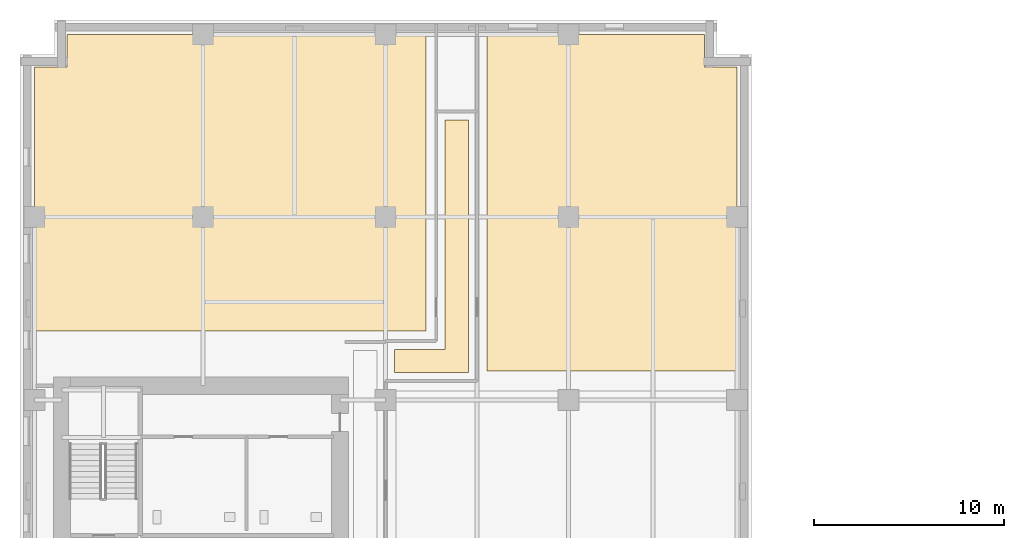
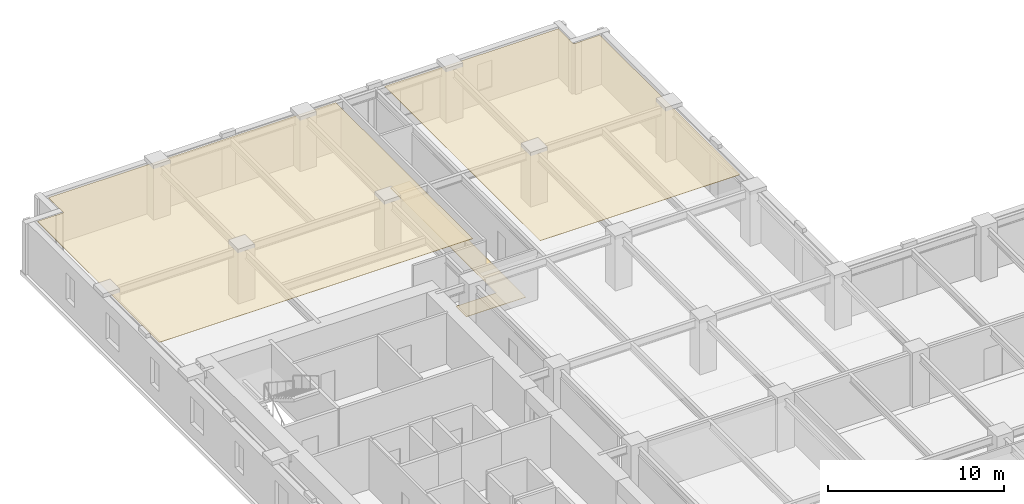
# One storey, part 13 of 14: 3 coverings.
"""IFC4 building model written with IfcOpenShell, lengths in metres."""

import ifcopenshell
import ifcopenshell.guid

model = None  # the IFC model being written
_history = None  # IfcOwnerHistory: only IFC2X3 demands one
_inside = {}  # id of a spatial element -> (the spatial element, [elements in it])
_under = {}  # id of a project, library or spatial element -> (it, [spatial elements below it])
_declared = {}  # id of a project -> (the project, [libraries it declares])
_typed = {}  # id of a type object -> (the type object, [elements of that type])
_made_of = {}  # id of a material, layer set ... -> (it, [elements and type objects made of it])


def new_model(schema):
    """Start an empty IFC model of exactly this schema.

    Asked for "IFC4X3", IfcOpenShell would pick the latest addendum, in which some entities
    have other attributes; the version numbers below select the first issue.
    IFC2X3 requires an IfcOwnerHistory on every rooted entity: one is made here for all.
    """
    global model, _history
    if schema == "IFC4X3":
        model = ifcopenshell.file(schema_version=(4, 3, 0, 0))
    else:
        model = ifcopenshell.file(schema=schema)
    _inside.clear()
    _under.clear()
    _declared.clear()
    _typed.clear()
    _made_of.clear()
    _history = None
    if model.schema == "IFC2X3":
        org = make("IfcOrganization", Name="unknown")
        user = make(
            "IfcPersonAndOrganization",
            ThePerson=make("IfcPerson", FamilyName="unknown"),
            TheOrganization=org,
        )
        app = make(
            "IfcApplication",
            ApplicationDeveloper=org,
            Version="unknown",
            ApplicationFullName="unknown",
            ApplicationIdentifier="unknown",
        )
        _history = make(
            "IfcOwnerHistory",
            OwningUser=user,
            OwningApplication=app,
            ChangeAction="ADDED",
            CreationDate=0,
        )
    return model


def make(cls, **values):
    """One entity of the class cls with the attributes given. An attribute that is None is left unset."""
    return model.create_entity(
        cls, **{name: value for name, value in values.items() if value is not None}
    )


def rooted(cls, **values):
    """An entity with a GlobalId (a new one), such as an element, a storey or a relation."""
    return make(cls, GlobalId=ifcopenshell.guid.new(), OwnerHistory=_history, **values)


def si_unit(unit_type, name, prefix=None):
    """IfcSIUnit, for example si_unit("LENGTHUNIT", "METRE", prefix="MILLI")."""
    return make("IfcSIUnit", UnitType=unit_type, Prefix=prefix, Name=name)


def assignment(units):
    """IfcUnitAssignment: the units of a project."""
    return None if units is None else make("IfcUnitAssignment", Units=units)


def point(xyz):
    """IfcCartesianPoint."""
    return None if xyz is None else make("IfcCartesianPoint", Coordinates=xyz)


def direction(xyz):
    """IfcDirection."""
    return None if xyz is None else make("IfcDirection", DirectionRatios=xyz)


def frame(location, z_axis=None, x_axis=None):
    """IfcAxis2Placement3D, a coordinate frame: its origin and axes. An axis left out is left unset."""
    return make(
        "IfcAxis2Placement3D",
        Location=point(location),
        Axis=direction(z_axis),
        RefDirection=direction(x_axis),
    )


def origin():
    """The frame at (0, 0, 0) with its axes left unset."""
    return frame((0.0, 0.0, 0.0))


def place(relative_to, where):
    """IfcLocalPlacement: puts the frame where relative to a parent placement (None: the world)."""
    return make(
        "IfcLocalPlacement", PlacementRelTo=relative_to, RelativePlacement=where
    )


def context(
    kind, dimensions, precision=None, world=None, true_north=None, identifier=None
):
    """IfcGeometricRepresentationContext, for example the 3D "Model" context."""
    return make(
        "IfcGeometricRepresentationContext",
        ContextIdentifier=identifier,
        ContextType=kind,
        CoordinateSpaceDimension=dimensions,
        Precision=precision,
        WorldCoordinateSystem=world,
        TrueNorth=true_north,
    )


def subcontext(parent, identifier, kind, view, scale=None):
    """IfcGeometricRepresentationSubContext, for example "Body" below "Model"."""
    return make(
        "IfcGeometricRepresentationSubContext",
        ContextIdentifier=identifier,
        ContextType=kind,
        ParentContext=parent,
        TargetScale=scale,
        TargetView=view,
    )


def project(units=None, contexts=None):
    """IfcProject with its units and contexts."""
    return rooted(
        "IfcProject",
        Name="project",
        RepresentationContexts=contexts,
        UnitsInContext=assignment(units),
    )


def spatial(cls, under=None, at=None, **own):
    """A site, building, storey or space (cls), placed at a placement, below another one or the project."""
    s = rooted(cls, ObjectPlacement=at, **own)
    if under is not None:
        _under.setdefault(under.id(), (under, []))[1].append(s)
    return s


def polyline(points):
    """IfcPolyline through the points."""
    return make("IfcPolyline", Points=[point(p) for p in points])


def outline(outer, holes=None, kind="AREA"):
    """IfcArbitraryClosedProfileDef: a profile drawn as a closed curve; with holes, ...WithVoids."""
    if holes is None:
        return make("IfcArbitraryClosedProfileDef", ProfileType=kind, OuterCurve=outer)
    return make(
        "IfcArbitraryProfileDefWithVoids",
        ProfileType=kind,
        OuterCurve=outer,
        InnerCurves=holes,
    )


def extrude(swept, where, along, depth):
    """IfcExtrudedAreaSolid: the profile swept, set in the frame where, extruded along a direction by depth."""
    return make(
        "IfcExtrudedAreaSolid",
        SweptArea=swept,
        Position=where,
        ExtrudedDirection=direction(along),
        Depth=depth,
    )


def shape(context_of_items, identifier, shape_type, items):
    """IfcShapeRepresentation: the items that make up one representation, for example the "Body"."""
    return make(
        "IfcShapeRepresentation",
        ContextOfItems=context_of_items,
        RepresentationIdentifier=identifier,
        RepresentationType=shape_type,
        Items=items,
    )


def material(Name=None, Category=None):
    """IfcMaterial."""
    return make("IfcMaterial", Name=Name, Category=Category)


def layer(
    of_material, thickness, ventilated=None, Name=None, Category=None, Priority=None
):
    """IfcMaterialLayer: one layer of a wall or slab, of a material (None: an air gap)."""
    return make(
        "IfcMaterialLayer",
        Material=of_material,
        LayerThickness=thickness,
        IsVentilated=ventilated,
        Name=Name,
        Category=Category,
        Priority=Priority,
    )


def layer_set(layers, Name=None):
    """IfcMaterialLayerSet."""
    return make("IfcMaterialLayerSet", MaterialLayers=layers, LayerSetName=Name)


def made_of(thing, what):
    """Note that an element or type object is made of a material, layer set ...; save() writes the relation."""
    if what is not None:
        _made_of.setdefault(what.id(), (what, []))[1].append(thing)
    return thing


def type_object(cls, material=None, **own):
    """A type object (cls), such as IfcWallType, which elements share."""
    return made_of(rooted(cls, **own), material)


def element(
    cls,
    number,
    at=None,
    inside=None,
    cuts=None,
    type_object=None,
    material=None,
    context=None,
    identifier="Body",
    shape_type=None,
    held_by="IfcProductDefinitionShape",
    body=None,
    shapes=None,
    **own,
):
    """One element of the class cls, such as IfcWall. Its Tag is "e" and its number.

    at: its placement. inside: the storey or other place that contains it. cuts: it is an
    opening in that element (IfcRelVoidsElement). A single representation is given by context,
    identifier, shape_type and body (its items); several are given by shapes. held_by: the class
    of the entity that holds the representations. save() writes the other relations.
    """
    e = rooted(cls, Tag="e%d" % number, ObjectPlacement=at, **own)
    if body is not None:
        shapes = [shape(context, identifier, shape_type, body)]
    if shapes is not None:
        e.Representation = make(held_by, Representations=shapes)
    if inside is not None:
        _inside.setdefault(inside.id(), (inside, []))[1].append(e)
    if cuts is not None:
        rooted(
            "IfcRelVoidsElement", RelatingBuildingElement=cuts, RelatedOpeningElement=e
        )
    if type_object is not None:
        _typed.setdefault(type_object.id(), (type_object, []))[1].append(e)
    return made_of(e, material)


def aggregate(whole, parts):
    """IfcRelAggregates: a whole, such as a stair, and the parts it consists of."""
    return rooted("IfcRelAggregates", RelatingObject=whole, RelatedObjects=parts)


def save(model, path):
    """Write the relations noted so far, then the file.

    IfcRelAggregates (storeys below a building ...), IfcRelContainedInSpatialStructure (elements
    in a storey), IfcRelDefinesByType, IfcRelAssociatesMaterial and IfcRelDeclares: one each for
    every whole, place, type object, material and project.
    """
    for whole, parts in _under.values():
        aggregate(whole, parts)
    for where, things in _inside.values():
        rooted(
            "IfcRelContainedInSpatialStructure",
            RelatedElements=things,
            RelatingStructure=where,
        )
    for kind, things in _typed.values():
        rooted("IfcRelDefinesByType", RelatedObjects=things, RelatingType=kind)
    for what, things in _made_of.values():
        rooted("IfcRelAssociatesMaterial", RelatedObjects=things, RelatingMaterial=what)
    for by, libraries in _declared.values():
        rooted("IfcRelDeclares", RelatingContext=by, RelatedDefinitions=libraries)
    model.write(path)


model = new_model("IFC4")

# Units and contexts
model_context = context("Model", 3, precision=1e-05, world=origin(), true_north=direction((0.0, 1.0)))
body_context = subcontext(model_context, "Body", "Model", "MODEL_VIEW")
ifc_project = project(units=[si_unit("LENGTHUNIT", "METRE"), si_unit("AREAUNIT", "SQUARE_METRE"), si_unit("VOLUMEUNIT", "CUBIC_METRE"), si_unit("PLANEANGLEUNIT", "RADIAN"), si_unit("MASSUNIT", "GRAM", prefix="KILO")], contexts=[model_context])

# Site, building, storey
site_placement = place(None, origin())
site = spatial("IfcSite", under=ifc_project, at=site_placement, CompositionType="ELEMENT")
building_placement = place(site_placement, origin())
building = spatial("IfcBuilding", under=site, at=building_placement, Name="Norrvale University Quadrangle", CompositionType="ELEMENT")
storey_placement = place(building_placement, frame((0.0, 0.0, 73.60009765625)))
storey = spatial("IfcBuildingStorey", under=building, at=storey_placement, Name="L18", CompositionType="ELEMENT", Elevation=73.60009765625)

# Coverings
ifc_material_1 = material(Name="Perforated Acoustic Mineral Ceiling")
ifc_layer_1 = layer(ifc_material_1, 0.02490234375, Name="Perforated Acoustic Mineral Ceiling")
ifc_layer_set_1 = layer_set([ifc_layer_1], Name="Perforated Acoustic Mineral Ceiling")
covering_type_1 = type_object("IfcCoveringType", Name="Covering Acoustic Ceiling 25", PredefinedType="CEILING", material=ifc_layer_set_1)
covering_1_placement = place(storey_placement, frame((0.0, 0.0, 3.514892578125)))
element("IfcCovering", 1, at=covering_1_placement, inside=storey, type_object=covering_type_1, Name="Acoustic Ceiling RM-L18-NE01", PredefinedType="CEILING", context=body_context, shape_type="SweptSolid", body=[
    extrude(outline(polyline([(37.64990234375, 48.780029296875), (24.530029296875, 48.780029296875), (24.530029296875, 66.449951171875), (35.929931640625, 66.449951171875), (35.929931640625, 64.72998046875), (37.64990234375, 64.72998046875), (37.64990234375, 48.780029296875)])), origin(), (0.0, 0.0, 1.0), 0.02490234375),
])
covering_2_placement = place(storey_placement, frame((0.0, 0.0, 3.514892578125)))
element("IfcCovering", 2, at=covering_2_placement, inside=storey, type_object=covering_type_1, Name="Acoustic Ceiling RM-L18-NW01", PredefinedType="CEILING", context=body_context, shape_type="SweptSolid", body=[
    extrude(outline(polyline([(21.320068359375, 66.449951171875), (21.320068359375, 50.8798828125), (0.75, 50.8798828125), (0.75, 64.72998046875), (2.469970703125, 64.72998046875), (2.469970703125, 66.449951171875), (21.320068359375, 66.449951171875)])), origin(), (0.0, 0.0, 1.0), 0.02490234375),
])
ifc_material_2 = material(Name="Polished Terrazzo Flooring")
ifc_layer_2 = layer(ifc_material_2, 0.02490234375, Name="Polished Terrazzo Flooring")
ifc_layer_set_2 = layer_set([ifc_layer_2], Name="Polished Terrazzo Flooring")
covering_type_2 = type_object("IfcCoveringType", Name="Covering Terrazzo Floor 30", PredefinedType="FLOORING", material=ifc_layer_set_2)
covering_3_placement = place(storey_placement, origin())
element("IfcCovering", 3, at=covering_3_placement, inside=storey, type_object=covering_type_2, Name="Terrazzo Flooring RM-L18-NCJOG", PredefinedType="FLOORING", context=body_context, shape_type="SweptSolid", body=[
    extrude(outline(polyline([(19.64990234375, 48.699951171875), (19.64990234375, 49.89990234375), (22.300048828125, 49.89990234375), (22.300048828125, 61.949951171875), (23.550048828125, 61.949951171875), (23.550048828125, 48.699951171875), (19.64990234375, 48.699951171875)])), origin(), (0.0, 0.0, 1.0), 0.02490234375),
])

save(model, "model.ifc")
